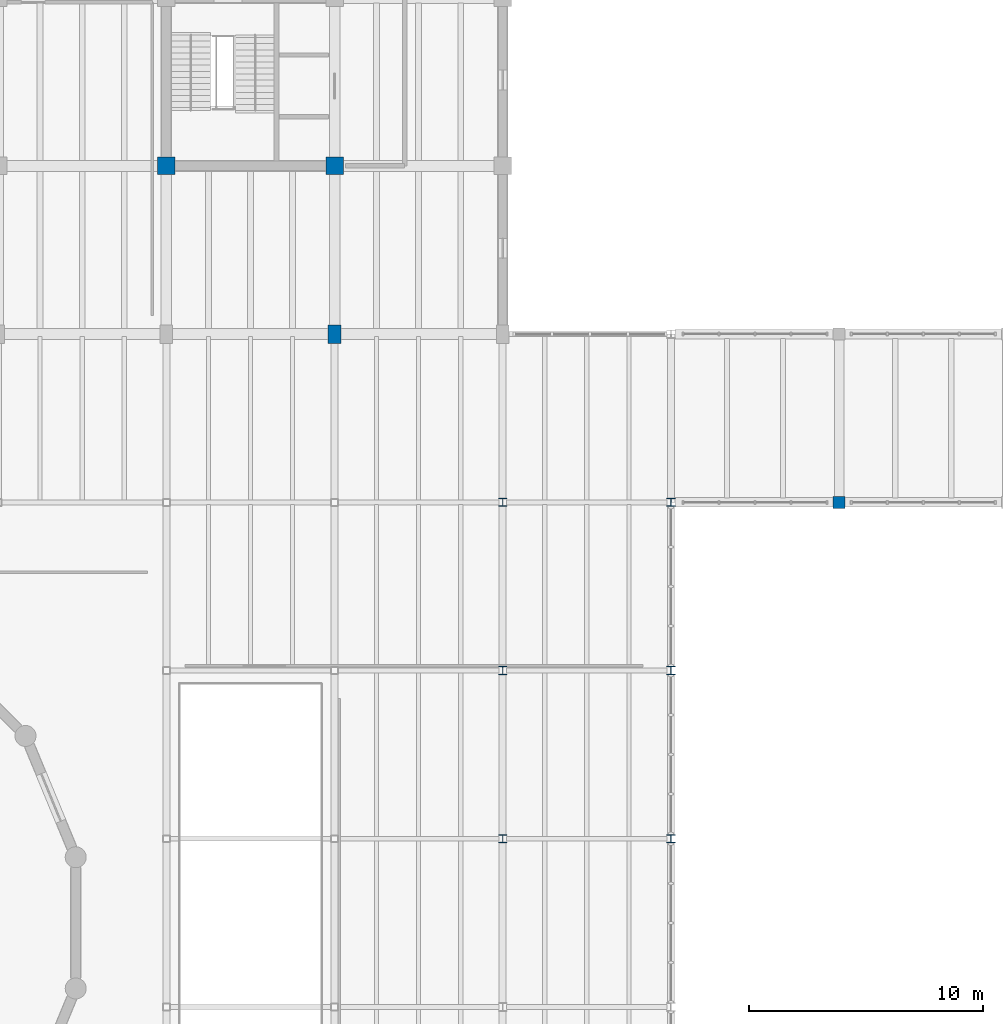
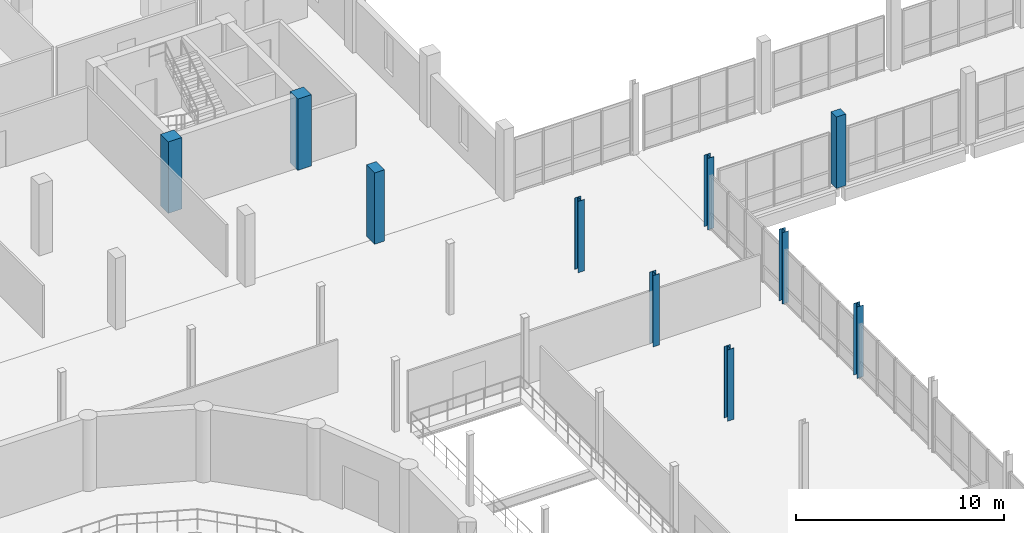
# One storey, part 13 of 72: 10 columns.
"""IFC4 building model written with IfcOpenShell, lengths in metres."""

from ifc_helpers import new_model, si_unit, direction, frame, origin, origin_2d, place, context, subcontext, project, spatial, rectangle, i_section, extrude, material, material_profile, profile_set, type_object, element, save


model = new_model("IFC4")

# Units and contexts
model_context = context("Model", 3, precision=1e-05, world=origin(), true_north=direction((0.0, 1.0)))
body_context = subcontext(model_context, "Body", "Model", "MODEL_VIEW")
ifc_project = project(units=[si_unit("LENGTHUNIT", "METRE"), si_unit("AREAUNIT", "SQUARE_METRE"), si_unit("VOLUMEUNIT", "CUBIC_METRE"), si_unit("PLANEANGLEUNIT", "RADIAN"), si_unit("MASSUNIT", "GRAM", prefix="KILO")], contexts=[model_context])

# Site, building, storey
site_placement = place(None, origin())
site = spatial("IfcSite", under=ifc_project, at=site_placement, CompositionType="ELEMENT")
building_placement = place(site_placement, origin())
building = spatial("IfcBuilding", under=site, at=building_placement, Name="Qiaolan Assembly House", CompositionType="ELEMENT")
storey_placement = place(building_placement, frame((0.0, 0.0, 10.199951171875)))
storey = spatial("IfcBuildingStorey", under=building, at=storey_placement, Name="L02", CompositionType="ELEMENT", Elevation=10.199951171875)

# Columns
ifc_material_1 = material(Name="Concrete C45/55", Category="concrete")
ifc_material_profile_1 = material_profile(ifc_material_1, rectangle(XDim=0.75, YDim=0.75, at=origin_2d()), Name="RC 750x750")
ifc_profile_set_1 = profile_set([ifc_material_profile_1], Name="Concrete C45/55")
column_type_1 = type_object("IfcColumnType", Name="COL-RC-750", PredefinedType="COLUMN", material=ifc_profile_set_1)
for number, where, z_axis, x_axis, name in (
    (1, (86.39990234375, 93.60009765625, 0.0), (0.0, 0.0, 1.0), (1.0, 0.0, 0.0), "RC-06 column NW L02"),
    (2, (93.60009765625, 93.60009765625, 0.0), (0.0, 0.0, 1.0), (1.0, 0.0, 0.0), "RC-06 column NW L02"),
):
    element("IfcColumn", number, at=place(storey_placement, frame(where, z_axis=z_axis, x_axis=x_axis)), inside=storey, type_object=column_type_1, Name=name, PredefinedType="COLUMN", context=body_context, shape_type="SweptSolid", body=[
        extrude(rectangle(XDim=0.75, YDim=0.75, at=origin_2d()), origin(), (0.0, 0.0, 1.0), 4.199951171875),
    ])
ifc_material_profile_2 = material_profile(ifc_material_1, rectangle(XDim=0.550048828125, YDim=0.800048828125, at=origin_2d()), Name="RC 800x550")
ifc_profile_set_2 = profile_set([ifc_material_profile_2], Name="Concrete C45/55")
column_type_2 = type_object("IfcColumnType", Name="COL-RC-800x550", PredefinedType="COLUMN", material=ifc_profile_set_2)
column_1_placement = place(storey_placement, frame((93.60009765625, 86.39990234375, 0.0), z_axis=(0.0, 0.0, 1.0), x_axis=(1.0, 0.0, 0.0)))
element("IfcColumn", 3, at=column_1_placement, inside=storey, type_object=column_type_2, Name="RC-14 column NW L02", PredefinedType="COLUMN", context=body_context, shape_type="SweptSolid", body=[
    extrude(rectangle(XDim=0.550048828125, YDim=0.800048828125, at=origin_2d()), origin(), (0.0, 0.0, 1.0), 4.199951171875),
])
ifc_material_2 = material(Name="Steel Q355B", Category="steel")
ifc_material_profile_3 = material_profile(ifc_material_2, i_section(OverallWidth=0.35009765625, OverallDepth=0.35009765625, WebThickness=0.011962890625, FlangeThickness=0.01904296875, FilletRadius=0.02001953125, at=origin_2d()), Name="HW 350x350x12x19")
ifc_profile_set_3 = profile_set([ifc_material_profile_3], Name="Steel Q355B")
column_type_3 = type_object("IfcColumnType", Name="COL-STL-HW350", PredefinedType="COLUMN", material=ifc_profile_set_3)
for number, where, z_axis, x_axis, name in (
    (4, (100.800048828125, 64.800048828125, 0.0), (0.0, 0.0, 1.0), (1.0, 0.0, 0.0), "SC-02 hall column L02"),
    (5, (100.800048828125, 72.0, 0.0), (0.0, 0.0, 1.0), (1.0, 0.0, 0.0), "SC-02 hall column L02"),
    (6, (100.800048828125, 79.199951171875, 0.0), (0.0, 0.0, 1.0), (1.0, 0.0, 0.0), "SC-02 hall column L02"),
    (7, (108.0, 64.800048828125, 0.0), (0.0, 0.0, 1.0), (1.0, 0.0, 0.0), "SC-02 hall column L02"),
    (8, (108.0, 72.0, 0.0), (0.0, 0.0, 1.0), (1.0, 0.0, 0.0), "SC-02 hall column L02"),
    (9, (108.0, 79.199951171875, 0.0), (0.0, 0.0, 1.0), (1.0, 0.0, 0.0), "SC-02 hall column L02"),
):
    element("IfcColumn", number, at=place(storey_placement, frame(where, z_axis=z_axis, x_axis=x_axis)), inside=storey, type_object=column_type_3, Name=name, PredefinedType="COLUMN", context=body_context, shape_type="SweptSolid", body=[
        extrude(i_section(OverallWidth=0.35009765625, OverallDepth=0.35009765625, WebThickness=0.011962890625, FlangeThickness=0.01904296875, FilletRadius=0.02001953125, at=origin_2d()), origin(), (0.0, 0.0, 1.0), 4.199951171875),
    ])
ifc_material_3 = material(Name="Precast concrete C45/55", Category="concrete")
ifc_material_profile_4 = material_profile(ifc_material_3, rectangle(XDim=0.52001953125, YDim=0.52001953125, at=origin_2d()), Name="PIL 520x520")
ifc_profile_set_4 = profile_set([ifc_material_profile_4], Name="Precast concrete C45/55")
column_type_4 = type_object("IfcColumnType", Name="PIL-CLOISTER-520", PredefinedType="PILASTER", material=ifc_profile_set_4)
column_2_placement = place(storey_placement, frame((115.199951171875, 79.199951171875, 0.0), z_axis=(0.0, 0.0, 1.0), x_axis=(1.0, 0.0, 0.0)))
element("IfcColumn", 10, at=column_2_placement, inside=storey, type_object=column_type_4, Name="PL-06 cloister pier L02", PredefinedType="PILASTER", context=body_context, shape_type="SweptSolid", body=[
    extrude(rectangle(XDim=0.52001953125, YDim=0.52001953125, at=origin_2d()), origin(), (0.0, 0.0, 1.0), 4.199951171875),
])

save(model, "model.ifc")
